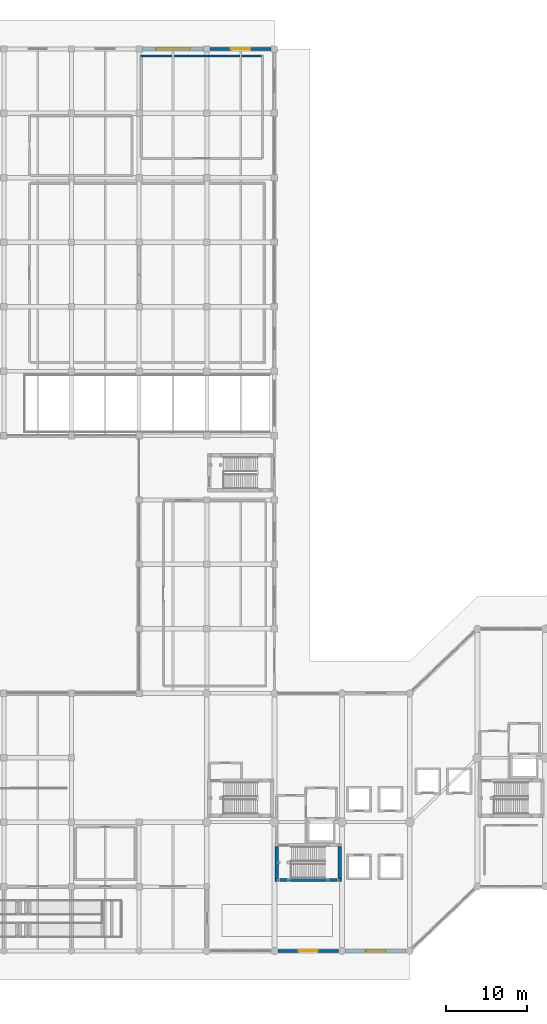
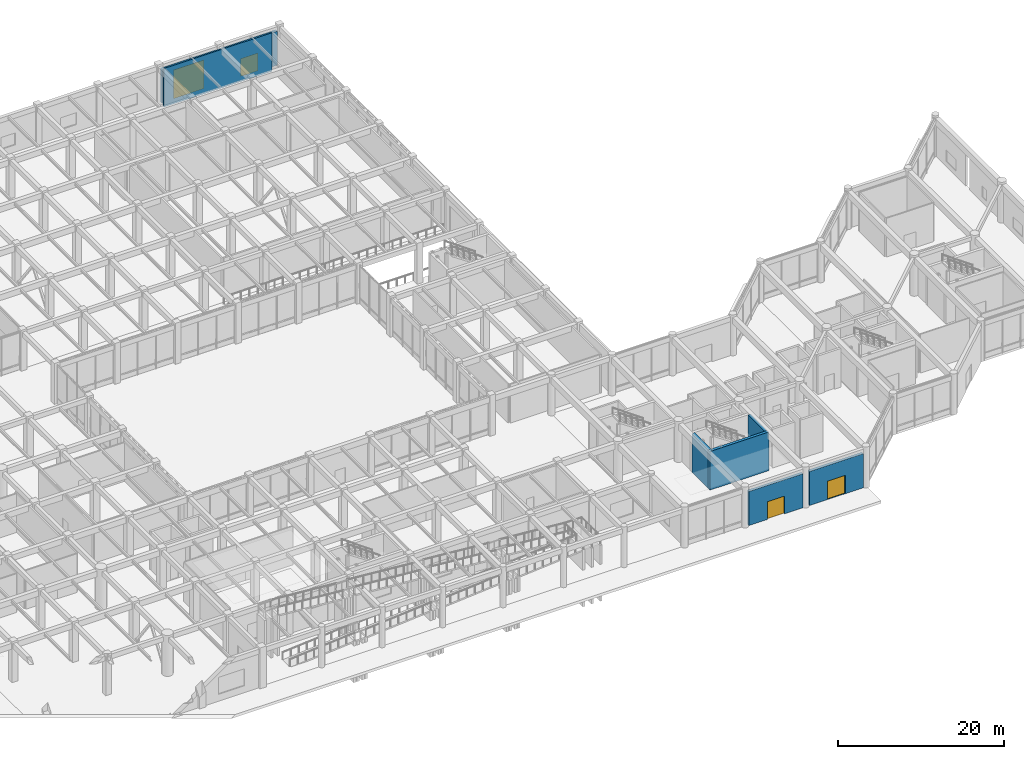
# One storey, part 57 of 76: 8 walls, 4 doors, 4 openings.
"""IFC4 building model written with IfcOpenShell, lengths in metres."""

from ifc_helpers import new_model, si_unit, direction, frame, frame_2d, origin, place, context, subcontext, project, spatial, rectangle, extrude, material, layer, layer_set, type_object, element, fill, save


model = new_model("IFC4")

# Units and contexts
model_context = context("Model", 3, precision=1e-05, world=origin(), true_north=direction((0.0, 1.0)))
body_context = subcontext(model_context, "Body", "Model", "MODEL_VIEW")
ifc_project = project(units=[si_unit("LENGTHUNIT", "METRE"), si_unit("AREAUNIT", "SQUARE_METRE"), si_unit("VOLUMEUNIT", "CUBIC_METRE"), si_unit("PLANEANGLEUNIT", "RADIAN"), si_unit("MASSUNIT", "GRAM", prefix="KILO")], contexts=[model_context])

# Site, building, storey
site_placement = place(None, origin())
site = spatial("IfcSite", under=ifc_project, at=site_placement, CompositionType="ELEMENT")
building_placement = place(site_placement, origin())
building = spatial("IfcBuilding", under=site, at=building_placement, Name="Naruveol Harbour Congress Hotel", CompositionType="ELEMENT")
storey_placement = place(building_placement, origin())
storey = spatial("IfcBuildingStorey", under=building, at=storey_placement, Name="L00", CompositionType="ELEMENT", Elevation=0.0)

# Wall
ifc_material_1 = material(Name="Concrete C40/50", Category="concrete")
ifc_layer_1 = layer(ifc_material_1, 0.219970703125)
ifc_layer_set_1 = layer_set([ifc_layer_1], Name="Concrete C40/50")
wall_type_1 = type_object("IfcWallType", Name="FIRE COMPARTMENT AND LOBBY WALL 220 EI120", PredefinedType="PARTITIONING", material=ifc_layer_set_1)
wall_1_placement = place(storey_placement, frame((109.39990234375, 111.1201171875, 0.0), z_axis=(0.0, 0.0, 1.0), x_axis=(1.0, 0.0, 0.0)))
element("IfcWall", 1, at=wall_1_placement, inside=storey, type_object=wall_type_1, Name="Loading Bay north enclosure partition FW-220", PredefinedType="PARTITIONING", context=body_context, shape_type="SweptSolid", body=[
    extrude(rectangle(XDim=15.010009765625, YDim=0.219970703125, at=frame_2d((7.5048828125, 0.0))), origin(), (0.0, 0.0, 1.0), 5.675048828125),
])

# Wall, opening, door
ifc_material_2 = material(Name="Concrete C40/50", Category="concrete")
ifc_layer_2 = layer(ifc_material_2, 0.3798828125)
ifc_layer_set_2 = layer_set([ifc_layer_2], Name="Concrete C40/50")
wall_type_2 = type_object("IfcWallType", Name="INSULATED GRANITE FACADE WALL 380", PredefinedType="SOLIDWALL", material=ifc_layer_set_2)
wall_2_placement = place(storey_placement, frame((109.60009765625, 112.0, 0.0), z_axis=(0.0, 0.0, 1.0), x_axis=(1.0, 0.0, 0.0)))
wall_2 = element("IfcWall", 2, at=wall_2_placement, inside=storey, type_object=wall_type_2, Name="Ballroom north facade EW-380", PredefinedType="SOLIDWALL", context=body_context, shape_type="SweptSolid", body=[
    extrude(rectangle(XDim=7.599853515625, YDim=0.3798828125, at=frame_2d((3.7998046875, 0.0))), origin(), (0.0, 0.0, 1.0), 5.0),
])
opening_1_placement = place(wall_2_placement, frame((1.699951171875, 0.0, 0.0)))
opening_1 = element("IfcOpeningElement", 3, at=opening_1_placement, cuts=wall_2, Name="Opening LDK1", PredefinedType="OPENING", context=body_context, shape_type="SweptSolid", body=[
    extrude(rectangle(XDim=4.199951171875, YDim=4.199951171875, at=frame_2d((2.10009765625, 2.10009765625))), frame((0.0, 0.199951171875, 0.0), z_axis=(0.0, -1.0, 0.0), x_axis=(1.0, 0.0, 0.0)), (0.0, 0.0, 1.0), 0.39990234375),
])
ifc_material_3 = material(Name="Galvanised Steel Roller Shutter", Category="steel")
door_type_1 = type_object("IfcDoorType", Name="LOADING BAY ROLLER SHUTTER GATE 4200X4200", OperationType="ROLLINGUP", PredefinedType="GATE", material=ifc_material_3)
door_1_placement = place(opening_1_placement, origin())
door_1 = element("IfcDoor", 4, at=door_1_placement, inside=storey, type_object=door_type_1, Name="Loading Dock Roller Shutter Gate LDK1", OperationType="ROLLINGUP", OverallHeight=4.199951171875, OverallWidth=4.199951171875, PredefinedType="GATE", context=body_context, shape_type="SweptSolid", body=[
    extrude(rectangle(XDim=4.199951171875, YDim=4.199951171875, at=frame_2d((2.10009765625, 2.10009765625))), frame((0.0, 0.02490234375, 0.0), z_axis=(0.0, -1.0, 0.0), x_axis=(1.0, 0.0, 0.0)), (0.0, 0.0, 1.0), 0.050048828125),
])
fill(opening_1, door_1)

wall_3_placement = place(storey_placement, frame((118.0, 112.0, 0.0), z_axis=(0.0, 0.0, 1.0), x_axis=(1.0, 0.0, 0.0)))
wall_3 = element("IfcWall", 5, at=wall_3_placement, inside=storey, type_object=wall_type_2, Name="Ballroom north facade EW-380", PredefinedType="SOLIDWALL", context=body_context, shape_type="SweptSolid", body=[
    extrude(rectangle(XDim=7.60009765625, YDim=0.3798828125, at=frame_2d((3.800048828125, 0.0))), origin(), (0.0, 0.0, 1.0), 5.0),
])
opening_2_placement = place(wall_3_placement, frame((2.60009765625, 0.0, 0.0)))
opening_2 = element("IfcOpeningElement", 6, at=opening_2_placement, cuts=wall_3, Name="Opening E9", PredefinedType="OPENING", context=body_context, shape_type="SweptSolid", body=[
    extrude(rectangle(XDim=2.39990234375, YDim=2.60009765625, at=frame_2d((1.199951171875, 1.300048828125))), frame((0.0, 0.199951171875, 0.0), z_axis=(0.0, -1.0, 0.0), x_axis=(1.0, 0.0, 0.0)), (0.0, 0.0, 1.0), 0.39990234375),
])
ifc_material_4 = material(Name="Powder-Coated Steel & Insulated Glazing", Category="steel")
door_type_2 = type_object("IfcDoorType", Name="FINAL EXIT DOUBLE DOOR 2400X2600", OperationType="DOUBLE_DOOR_SINGLE_SWING", PredefinedType="DOOR", material=ifc_material_4)
door_2_placement = place(opening_2_placement, origin())
door_2 = element("IfcDoor", 7, at=door_2_placement, inside=storey, type_object=door_type_2, Name="Final Exit Door E9", OperationType="DOUBLE_DOOR_SINGLE_SWING", OverallHeight=2.60009765625, OverallWidth=2.39990234375, PredefinedType="DOOR", context=body_context, shape_type="SweptSolid", body=[
    extrude(rectangle(XDim=2.39990234375, YDim=2.60009765625, at=frame_2d((1.199951171875, 1.300048828125))), frame((0.0, 0.02490234375, 0.0), z_axis=(0.0, -1.0, 0.0), x_axis=(1.0, 0.0, 0.0)), (0.0, 0.0, 1.0), 0.050048828125),
])
fill(opening_2, door_2)

wall_4_placement = place(storey_placement, frame((133.949951171875, 0.0, 0.0), z_axis=(0.0, 0.0, 1.0), x_axis=(-1.0, 0.0, 0.0)))
wall_4 = element("IfcWall", 8, at=wall_4_placement, inside=storey, type_object=wall_type_2, Name="Hotel waterfront exit bay EW-380", PredefinedType="SOLIDWALL", context=body_context, shape_type="SweptSolid", body=[
    extrude(rectangle(XDim=7.5, YDim=0.3798828125, at=frame_2d((3.75, 0.0))), origin(), (0.0, 0.0, 1.0), 5.0),
])
opening_3_placement = place(wall_4_placement, frame((2.550048828125, 0.0, 0.0)))
opening_3 = element("IfcOpeningElement", 9, at=opening_3_placement, cuts=wall_4, Name="Opening E13", PredefinedType="OPENING", context=body_context, shape_type="SweptSolid", body=[
    extrude(rectangle(XDim=2.39990234375, YDim=2.60009765625, at=frame_2d((1.199951171875, 1.300048828125))), frame((0.0, 0.199951171875, 0.0), z_axis=(0.0, -1.0, 0.0), x_axis=(1.0, 0.0, 0.0)), (0.0, 0.0, 1.0), 0.39990234375),
])
door_3_placement = place(opening_3_placement, origin())
door_3 = element("IfcDoor", 10, at=door_3_placement, inside=storey, type_object=door_type_2, Name="Final Exit Door E13", OperationType="DOUBLE_DOOR_SINGLE_SWING", OverallHeight=2.60009765625, OverallWidth=2.39990234375, PredefinedType="DOOR", context=body_context, shape_type="SweptSolid", body=[
    extrude(rectangle(XDim=2.39990234375, YDim=2.60009765625, at=frame_2d((1.199951171875, 1.300048828125))), frame((0.0, 0.02490234375, 0.0), z_axis=(0.0, -1.0, 0.0), x_axis=(1.0, 0.0, 0.0)), (0.0, 0.0, 1.0), 0.050048828125),
])
fill(opening_3, door_3)

wall_5_placement = place(storey_placement, frame((142.35009765625, 0.0, 0.0), z_axis=(0.0, 0.0, 1.0), x_axis=(-1.0, 0.0, 0.0)))
wall_5 = element("IfcWall", 11, at=wall_5_placement, inside=storey, type_object=wall_type_2, Name="Hotel reception waterfront portal EW-380", PredefinedType="SOLIDWALL", context=body_context, shape_type="SweptSolid", body=[
    extrude(rectangle(XDim=7.5, YDim=0.3798828125, at=frame_2d((3.75, 0.0))), origin(), (0.0, 0.0, 1.0), 5.0),
])
opening_4_placement = place(wall_5_placement, frame((2.5, 0.0, 0.0)))
opening_4 = element("IfcOpeningElement", 12, at=opening_4_placement, cuts=wall_5, Name="Opening ED-HT1", PredefinedType="OPENING", context=body_context, shape_type="SweptSolid", body=[
    extrude(rectangle(XDim=2.5, YDim=2.699951171875, at=frame_2d((1.25, 1.35009765625))), frame((0.0, 0.199951171875, 0.0), z_axis=(0.0, -1.0, 0.0), x_axis=(1.0, 0.0, 0.0)), (0.0, 0.0, 1.0), 0.39990234375),
])
ifc_material_5 = material(Name="Powder-Coated Steel & Insulated Glazing", Category="steel")
door_type_3 = type_object("IfcDoorType", Name="HOTEL RECEPTION PORTAL DOOR 2500X2700", OperationType="DOUBLE_DOOR_SINGLE_SWING", PredefinedType="DOOR", material=ifc_material_5)
door_4_placement = place(opening_4_placement, origin())
door_4 = element("IfcDoor", 13, at=door_4_placement, inside=storey, type_object=door_type_3, Name="Hotel Harbour Arrival Door ED-HT1", OperationType="DOUBLE_DOOR_SINGLE_SWING", OverallHeight=2.699951171875, OverallWidth=2.5, PredefinedType="DOOR", context=body_context, shape_type="SweptSolid", body=[
    extrude(rectangle(XDim=2.5, YDim=2.699951171875, at=frame_2d((1.25, 1.35009765625))), frame((0.0, 0.02490234375, 0.0), z_axis=(0.0, -1.0, 0.0), x_axis=(1.0, 0.0, 0.0)), (0.0, 0.0, 1.0), 0.050048828125),
])
fill(opening_4, door_4)

# Walls
ifc_material_6 = material(Name="Concrete C50/60", Category="concrete")
ifc_layer_3 = layer(ifc_material_6, 0.39990234375)
ifc_layer_set_3 = layer_set([ifc_layer_3], Name="Concrete C50/60")
wall_type_3 = type_object("IfcWallType", Name="RC CORE SHEAR WALL 400 EI120", PredefinedType="SHEAR", material=ifc_layer_set_3)
wall_6_placement = place(storey_placement, frame((126.10009765625, 8.800048828125, 0.0), z_axis=(0.0, 0.0, 1.0), x_axis=(1.0, 0.0, 0.0)))
element("IfcWall", 14, at=wall_6_placement, inside=storey, type_object=wall_type_3, Name="Stair ST1 south core wall CW-400", PredefinedType="SHEAR", context=body_context, shape_type="SweptSolid", body=[
    extrude(rectangle(XDim=8.199951171875, YDim=0.39990234375, at=frame_2d((4.10009765625, 0.0))), origin(), (0.0, 0.0, 1.0), 5.675048828125),
])
for number, where, z_axis, x_axis, name in (
    (15, (134.10009765625, 9.0048828125, 0.0), (0.0, 0.0, 1.0), (0.0, 1.0, 0.0), "Stair ST1 east core wall CW-400"),
    (16, (126.300048828125, 9.0048828125, 0.0), (0.0, 0.0, 1.0), (0.0, 1.0, 0.0), "Stair ST1 west core wall CW-400"),
):
    element("IfcWall", number, at=place(storey_placement, frame(where, z_axis=z_axis, x_axis=x_axis)), inside=storey, type_object=wall_type_3, Name=name, PredefinedType="SHEAR", context=body_context, shape_type="SweptSolid", body=[
        extrude(rectangle(XDim=3.9501953125, YDim=0.39990234375, at=frame_2d((1.97509765625, 0.0))), origin(), (0.0, 0.0, 1.0), 5.675048828125),
    ])

save(model, "model.ifc")
